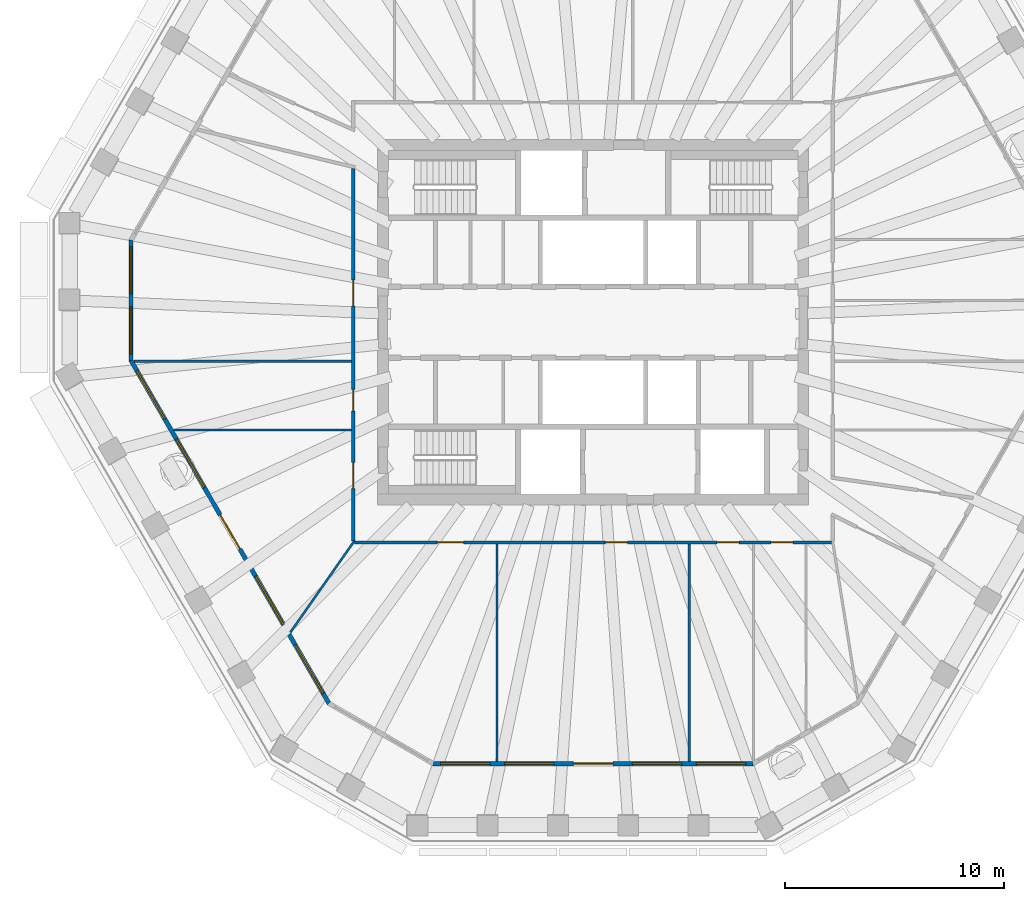
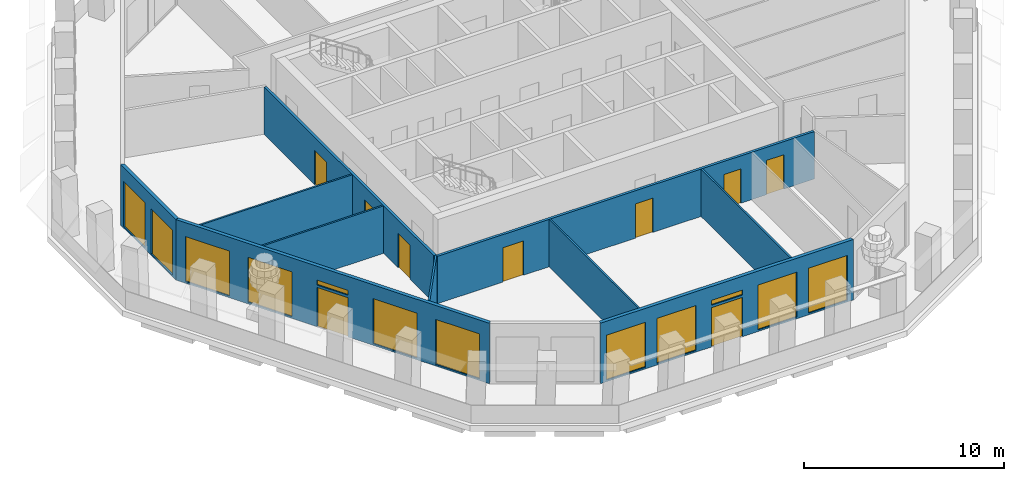
# One storey, part 3 of 11: 12 windows, 10 walls, 9 doors, 21 openings.
"""IFC4 building model written with IfcOpenShell, lengths in metres."""

from ifc_helpers import new_model, si_unit, direction, frame, frame_2d, origin, place, context, subcontext, project, spatial, polyline, rectangle, outline, extrude, material, layer, layer_set, type_object, element, fill, save


model = new_model("IFC4")

# Units and contexts
model_context = context("Model", 3, precision=1e-05, world=origin(), true_north=direction((0.0, 1.0)))
body_context = subcontext(model_context, "Body", "Model", "MODEL_VIEW")
ifc_project = project(units=[si_unit("LENGTHUNIT", "METRE"), si_unit("AREAUNIT", "SQUARE_METRE"), si_unit("VOLUMEUNIT", "CUBIC_METRE"), si_unit("PLANEANGLEUNIT", "RADIAN"), si_unit("MASSUNIT", "GRAM", prefix="KILO")], contexts=[model_context])

# Site, building, storey
site_placement = place(None, origin())
site = spatial("IfcSite", under=ifc_project, at=site_placement, CompositionType="ELEMENT")
building_placement = place(site_placement, origin())
building = spatial("IfcBuilding", under=site, at=building_placement, Name="Frailejon Research Tower", CompositionType="ELEMENT")
storey_placement = place(building_placement, frame((0.0, 0.0, 295.0)))
storey = spatial("IfcBuildingStorey", under=building, at=storey_placement, Name="L65", CompositionType="ELEMENT", Elevation=295.0)

# Wall, openings, doors
ifc_material_1 = material(Name="Gypsum board and masonry partition", Category="masonry")
ifc_layer_1 = layer(ifc_material_1, 0.14990234375)
ifc_layer_set_1 = layer_set([ifc_layer_1], Name="Corridor wall EI 60, gypsum on steel studs 150")
wall_type_1 = type_object("IfcWallType", Name="Corridor wall EI 60, gypsum on steel studs 150", PredefinedType="PARTITIONING", material=ifc_layer_set_1)
wall_1_placement = place(storey_placement, frame((-10.949951171875, -9.97509765625, 0.0), z_axis=(0.0, 0.0, 1.0), x_axis=(0.0, 1.0, 0.0)))
wall_1 = element("IfcWall", 1, at=wall_1_placement, inside=storey, type_object=wall_type_1, Name="T:IW:L65:004", PredefinedType="PARTITIONING", context=body_context, shape_type="SweptSolid", body=[
    extrude(rectangle(XDim=17.0, YDim=0.14990234375, at=frame_2d((8.5, 0.0))), origin(), (0.0, 0.0, 1.0), 2.89990234375),
])
opening_1_placement = place(wall_1_placement, frame((10.72021484375, 0.0, 0.0)))
opening_1 = element("IfcOpeningElement", 2, at=opening_1_placement, cuts=wall_1, Name="Opening D2253", PredefinedType="OPENING", context=body_context, shape_type="SweptSolid", body=[
    extrude(rectangle(XDim=1.199951171875, YDim=2.10009765625, at=frame_2d((0.60009765625, 1.050048828125))), frame((0.0, 0.0849609375, 0.0), z_axis=(0.0, -1.0, 0.0), x_axis=(1.0, 0.0, 0.0)), (0.0, 0.0, 1.0), 0.169921875),
])
opening_2_placement = place(wall_1_placement, frame((5.91552734375, 0.0, 0.0)))
opening_2 = element("IfcOpeningElement", 3, at=opening_2_placement, cuts=wall_1, Name="Opening D2254", PredefinedType="OPENING", context=body_context, shape_type="SweptSolid", body=[
    extrude(rectangle(XDim=1.0, YDim=2.10009765625, at=frame_2d((0.5, 1.050048828125))), frame((0.0, 0.0849609375, 0.0), z_axis=(0.0, -1.0, 0.0), x_axis=(1.0, 0.0, 0.0)), (0.0, 0.0, 1.0), 0.169921875),
])
opening_3_placement = place(wall_1_placement, frame((2.378662109375, 0.0, 0.0)))
opening_3 = element("IfcOpeningElement", 4, at=opening_3_placement, cuts=wall_1, Name="Opening D2255", PredefinedType="OPENING", context=body_context, shape_type="SweptSolid", body=[
    extrude(rectangle(XDim=1.199951171875, YDim=2.10009765625, at=frame_2d((0.60009765625, 1.050048828125))), frame((0.0, 0.0849609375, 0.0), z_axis=(0.0, -1.0, 0.0), x_axis=(1.0, 0.0, 0.0)), (0.0, 0.0, 1.0), 0.169921875),
])
ifc_material_2 = material(Name="Timber door leaf", Category="wood")
door_type_1 = type_object("IfcDoorType", Name="Door single leaf, timber, steel frame 1000", OperationType="NOTDEFINED", PredefinedType="DOOR", material=ifc_material_2)
door_1_placement = place(opening_2_placement, origin())
door_1 = element("IfcDoor", 5, at=door_1_placement, inside=storey, type_object=door_type_1, Name="D2254", OperationType="SINGLE_SWING_RIGHT", OverallHeight=2.10009765625, OverallWidth=1.0, PredefinedType="DOOR", context=body_context, shape_type="SweptSolid", body=[
    extrude(rectangle(XDim=1.0, YDim=2.10009765625, at=frame_2d((0.5, 1.050048828125))), frame((0.0, 0.02490234375, 0.0), z_axis=(0.0, -1.0, 0.0), x_axis=(1.0, 0.0, 0.0)), (0.0, 0.0, 1.0), 0.050048828125),
])
fill(opening_2, door_1)
ifc_material_3 = material(Name="Timber door leaf", Category="wood")
door_type_2 = type_object("IfcDoorType", Name="Door single leaf, timber, steel frame 1200", OperationType="NOTDEFINED", PredefinedType="DOOR", material=ifc_material_3)
door_2_placement = place(opening_1_placement, origin())
door_2 = element("IfcDoor", 6, at=door_2_placement, inside=storey, type_object=door_type_2, Name="D2253", OperationType="DOUBLE_DOOR_SINGLE_SWING", OverallHeight=2.10009765625, OverallWidth=1.199951171875, PredefinedType="DOOR", context=body_context, shape_type="SweptSolid", body=[
    extrude(rectangle(XDim=1.199951171875, YDim=2.10009765625, at=frame_2d((0.60009765625, 1.050048828125))), frame((0.0, 0.02490234375, 0.0), z_axis=(0.0, -1.0, 0.0), x_axis=(1.0, 0.0, 0.0)), (0.0, 0.0, 1.0), 0.050048828125),
])
fill(opening_1, door_2)
door_3_placement = place(opening_3_placement, origin())
door_3 = element("IfcDoor", 7, at=door_3_placement, inside=storey, type_object=door_type_2, Name="D2255", OperationType="DOUBLE_DOOR_SINGLE_SWING", OverallHeight=2.10009765625, OverallWidth=1.199951171875, PredefinedType="DOOR", context=body_context, shape_type="SweptSolid", body=[
    extrude(rectangle(XDim=1.199951171875, YDim=2.10009765625, at=frame_2d((0.60009765625, 1.050048828125))), frame((0.0, 0.02490234375, 0.0), z_axis=(0.0, -1.0, 0.0), x_axis=(1.0, 0.0, 0.0)), (0.0, 0.0, 1.0), 0.050048828125),
])
fill(opening_3, door_3)

wall_2_placement = place(storey_placement, frame((-10.89990234375, -10.050048828125, 0.0), z_axis=(0.0, 0.0, 1.0), x_axis=(1.0, 0.0, 0.0)))
wall_2 = element("IfcWall", 8, at=wall_2_placement, inside=storey, type_object=wall_type_1, Name="T:IW:L65:006", PredefinedType="PARTITIONING", context=body_context, shape_type="SweptSolid", body=[
    extrude(rectangle(XDim=21.7998046875, YDim=0.14990234375, at=frame_2d((10.89990234375, 0.0))), origin(), (0.0, 0.0, 1.0), 2.89990234375),
])
opening_4_placement = place(wall_2_placement, frame((3.791259765625, 0.0, 0.0)))
opening_4 = element("IfcOpeningElement", 9, at=opening_4_placement, cuts=wall_2, Name="Opening D2256", PredefinedType="OPENING", context=body_context, shape_type="SweptSolid", body=[
    extrude(rectangle(XDim=1.199951171875, YDim=2.10009765625, at=frame_2d((0.60009765625, 1.050048828125))), frame((0.0, 0.0849609375, 0.0), z_axis=(0.0, -1.0, 0.0), x_axis=(1.0, 0.0, 0.0)), (0.0, 0.0, 1.0), 0.169921875),
])
opening_5_placement = place(wall_2_placement, frame((11.46337890625, 0.0, 0.0)))
opening_5 = element("IfcOpeningElement", 10, at=opening_5_placement, cuts=wall_2, Name="Opening D2257", PredefinedType="OPENING", context=body_context, shape_type="SweptSolid", body=[
    extrude(rectangle(XDim=1.0, YDim=2.10009765625, at=frame_2d((0.5, 1.050048828125))), frame((0.0, 0.0849609375, 0.0), z_axis=(0.0, -1.0, 0.0), x_axis=(1.0, 0.0, 0.0)), (0.0, 0.0, 1.0), 0.169921875),
])
opening_6_placement = place(wall_2_placement, frame((16.5673828125, 0.0, 0.0)))
opening_6 = element("IfcOpeningElement", 11, at=opening_6_placement, cuts=wall_2, Name="Opening D2258", PredefinedType="OPENING", context=body_context, shape_type="SweptSolid", body=[
    extrude(rectangle(XDim=1.0, YDim=2.10009765625, at=frame_2d((0.5, 1.050048828125))), frame((0.0, 0.0849609375, 0.0), z_axis=(0.0, -1.0, 0.0), x_axis=(1.0, 0.0, 0.0)), (0.0, 0.0, 1.0), 0.169921875),
])
opening_7_placement = place(wall_2_placement, frame((19.0341796875, 0.0, 0.0)))
opening_7 = element("IfcOpeningElement", 12, at=opening_7_placement, cuts=wall_2, Name="Opening D2259", PredefinedType="OPENING", context=body_context, shape_type="SweptSolid", body=[
    extrude(rectangle(XDim=1.0, YDim=2.10009765625, at=frame_2d((0.5, 1.050048828125))), frame((0.0, 0.0849609375, 0.0), z_axis=(0.0, -1.0, 0.0), x_axis=(1.0, 0.0, 0.0)), (0.0, 0.0, 1.0), 0.169921875),
])
door_4_placement = place(opening_5_placement, origin())
door_4 = element("IfcDoor", 13, at=door_4_placement, inside=storey, type_object=door_type_1, Name="D2257", OperationType="SINGLE_SWING_LEFT", OverallHeight=2.10009765625, OverallWidth=1.0, PredefinedType="DOOR", context=body_context, shape_type="SweptSolid", body=[
    extrude(rectangle(XDim=1.0, YDim=2.10009765625, at=frame_2d((0.5, 1.050048828125))), frame((0.0, 0.02490234375, 0.0), z_axis=(0.0, -1.0, 0.0), x_axis=(1.0, 0.0, 0.0)), (0.0, 0.0, 1.0), 0.050048828125),
])
fill(opening_5, door_4)
door_5_placement = place(opening_6_placement, origin())
door_5 = element("IfcDoor", 14, at=door_5_placement, inside=storey, type_object=door_type_1, Name="D2258", OperationType="SINGLE_SWING_LEFT", OverallHeight=2.10009765625, OverallWidth=1.0, PredefinedType="DOOR", context=body_context, shape_type="SweptSolid", body=[
    extrude(rectangle(XDim=1.0, YDim=2.10009765625, at=frame_2d((0.5, 1.050048828125))), frame((0.0, 0.02490234375, 0.0), z_axis=(0.0, -1.0, 0.0), x_axis=(1.0, 0.0, 0.0)), (0.0, 0.0, 1.0), 0.050048828125),
])
fill(opening_6, door_5)
door_6_placement = place(opening_7_placement, origin())
door_6 = element("IfcDoor", 15, at=door_6_placement, inside=storey, type_object=door_type_1, Name="D2259", OperationType="SINGLE_SWING_RIGHT", OverallHeight=2.10009765625, OverallWidth=1.0, PredefinedType="DOOR", context=body_context, shape_type="SweptSolid", body=[
    extrude(rectangle(XDim=1.0, YDim=2.10009765625, at=frame_2d((0.5, 1.050048828125))), frame((0.0, 0.02490234375, 0.0), z_axis=(0.0, -1.0, 0.0), x_axis=(1.0, 0.0, 0.0)), (0.0, 0.0, 1.0), 0.050048828125),
])
fill(opening_7, door_6)
door_7_placement = place(opening_4_placement, origin())
door_7 = element("IfcDoor", 16, at=door_7_placement, inside=storey, type_object=door_type_2, Name="D2256", OperationType="DOUBLE_DOOR_SINGLE_SWING", OverallHeight=2.10009765625, OverallWidth=1.199951171875, PredefinedType="DOOR", context=body_context, shape_type="SweptSolid", body=[
    extrude(rectangle(XDim=1.199951171875, YDim=2.10009765625, at=frame_2d((0.60009765625, 1.050048828125))), frame((0.0, 0.02490234375, 0.0), z_axis=(0.0, -1.0, 0.0), x_axis=(1.0, 0.0, 0.0)), (0.0, 0.0, 1.0), 0.050048828125),
])
fill(opening_4, door_7)

# Walls
ifc_material_4 = material(Name="Gypsum board and masonry partition", Category="masonry")
ifc_layer_2 = layer(ifc_material_4, 0.10009765625)
ifc_layer_set_2 = layer_set([ifc_layer_2], Name="Partition, gypsum on steel studs 100")
wall_type_2 = type_object("IfcWallType", Name="Partition, gypsum on steel studs 100", PredefinedType="PARTITIONING", material=ifc_layer_set_2)
wall_3_placement = place(storey_placement, frame((-20.973388671875, -1.77294921875, 0.0), z_axis=(0.0, 0.0, 1.0), x_axis=(1.0, 0.0, 0.0)))
element("IfcWall", 17, at=wall_3_placement, inside=storey, type_object=wall_type_2, Name="T:IW:L65:019", PredefinedType="PARTITIONING", context=body_context, shape_type="SweptSolid", body=[
    extrude(rectangle(XDim=9.948486328125, YDim=0.10009765625, at=frame_2d((4.97412109375, 0.0))), origin(), (0.0, 0.0, 1.0), 2.89990234375),
])
wall_4_placement = place(storey_placement, frame((-19.16015625, -4.913818359375, 0.0), z_axis=(0.0, 0.0, 1.0), x_axis=(1.0, 0.0, 0.0)))
element("IfcWall", 18, at=wall_4_placement, inside=storey, type_object=wall_type_2, Name="T:IW:L65:021", PredefinedType="PARTITIONING", context=body_context, shape_type="SweptSolid", body=[
    extrude(rectangle(XDim=8.13525390625, YDim=0.10009765625, at=frame_2d((4.067626953125, 0.0))), origin(), (0.0, 0.0, 1.0), 2.89990234375),
])
wall_5_placement = place(storey_placement, frame((-13.824462890625, -14.155517578125, 0.0), z_axis=(0.0, 0.0, 1.0), x_axis=(0.573539649112, 0.81917780176, 0.0)))
element("IfcWall", 19, at=wall_5_placement, inside=storey, type_object=wall_type_2, Name="T:IW:L65:023", PredefinedType="PARTITIONING", context=body_context, shape_type="SweptSolid", body=[
    extrude(rectangle(XDim=5.0869140625, YDim=0.10009765625, at=frame_2d((2.54345703125, 0.0))), origin(), (0.0, 0.0, 1.0), 2.89990234375),
])
for number, where, z_axis, x_axis, name in (
    (20, (-4.39501953125, -20.0556640625, 0.0), (0.0, 0.0, 1.0), (0.0, 1.0, 0.0), "T:IW:L65:024"),
    (21, (4.39501953125, -20.0556640625, 0.0), (0.0, 0.0, 1.0), (0.0, 1.0, 0.0), "T:IW:L65:025"),
):
    element("IfcWall", number, at=place(storey_placement, frame(where, z_axis=z_axis, x_axis=x_axis)), inside=storey, type_object=wall_type_2, Name=name, PredefinedType="PARTITIONING", context=body_context, shape_type="SweptSolid", body=[
        extrude(rectangle(XDim=9.9306640625, YDim=0.10009765625, at=frame_2d((4.96533203125, 0.0))), origin(), (0.0, 0.0, 1.0), 2.89990234375),
    ])

# Wall, openings, windows
ifc_material_5 = material(Name="Concrete C40/50 precast window wall panel", Category="concrete")
ifc_layer_3 = layer(ifc_material_5, 0.199951171875)
ifc_layer_set_3 = layer_set([ifc_layer_3], Name="Window wall 200")
wall_type_3 = type_object("IfcWallType", Name="Window wall 200", PredefinedType="SOLIDWALL", material=ifc_layer_set_3)
wall_6_placement = place(storey_placement, frame((-21.1044921875, 3.75732421875, 0.0), z_axis=(0.0, 0.0, 1.0), x_axis=(0.0, -1.0, 0.0)))
wall_6 = element("IfcWall", 22, at=wall_6_placement, inside=storey, type_object=wall_type_3, Name="Exterior wall L65", PredefinedType="SOLIDWALL", context=body_context, shape_type="SweptSolid", body=[
    extrude(outline(polyline([(-0.02685546875, -0.10009765625), (1.08447265625, -0.10009765625), (2.196044921875, -0.10009765625), (3.307373046875, -0.10009765625), (4.4189453125, -0.10009765625), (5.5302734375, -0.10009765625), (5.4765625, 0.10009765625), (4.38671875, 0.10009765625), (3.296630859375, 0.10009765625), (2.206787109375, 0.10009765625), (1.11669921875, 0.10009765625), (0.02685546875, 0.10009765625), (-0.02685546875, -0.10009765625)])), origin(), (0.0, 0.0, 1.0), 3.699951171875),
])
opening_8_placement = place(wall_6_placement, frame((0.30078125, 0.0, 0.10009765625)))
opening_8 = element("IfcOpeningElement", 23, at=opening_8_placement, cuts=wall_6, Name="Opening W22", PredefinedType="OPENING", context=body_context, shape_type="SweptSolid", body=[
    extrude(rectangle(XDim=2.14990234375, YDim=2.75, at=frame_2d((1.074951171875, 1.375))), frame((0.0, 0.10986328125, 0.0), z_axis=(0.0, -1.0, 0.0), x_axis=(1.0, 0.0, 0.0)), (0.0, 0.0, 1.0), 0.219970703125),
])
opening_9_placement = place(wall_6_placement, frame((3.052490234375, 0.0, 0.10009765625)))
opening_9 = element("IfcOpeningElement", 24, at=opening_9_placement, cuts=wall_6, Name="Opening W22", PredefinedType="OPENING", context=body_context, shape_type="SweptSolid", body=[
    extrude(rectangle(XDim=2.14990234375, YDim=2.75, at=frame_2d((1.074951171875, 1.375))), frame((0.0, 0.10986328125, 0.0), z_axis=(0.0, -1.0, 0.0), x_axis=(1.0, 0.0, 0.0)), (0.0, 0.0, 1.0), 0.219970703125),
])
ifc_material_6 = material(Name="Aluminium framed double glazing", Category="aluminium")
window_type_1 = type_object("IfcWindowType", Name="Window 2150x2750", PartitioningType="SINGLE_PANEL", PredefinedType="WINDOW", material=ifc_material_6)
window_1_placement = place(opening_8_placement, origin())
window_1 = element("IfcWindow", 25, at=window_1_placement, inside=storey, type_object=window_type_1, Name="Window L65", OverallHeight=2.75, OverallWidth=2.14990234375, PartitioningType="SINGLE_PANEL", PredefinedType="WINDOW", context=body_context, shape_type="SweptSolid", body=[
    extrude(rectangle(XDim=2.14990234375, YDim=2.75, at=frame_2d((1.074951171875, 1.375))), frame((0.0, 0.030029296875, 0.0), z_axis=(0.0, -1.0, 0.0), x_axis=(1.0, 0.0, 0.0)), (0.0, 0.0, 1.0), 0.06005859375),
])
fill(opening_8, window_1)
window_2_placement = place(opening_9_placement, origin())
window_2 = element("IfcWindow", 26, at=window_2_placement, inside=storey, type_object=window_type_1, Name="Window L65", OverallHeight=2.75, OverallWidth=2.14990234375, PartitioningType="SINGLE_PANEL", PredefinedType="WINDOW", context=body_context, shape_type="SweptSolid", body=[
    extrude(rectangle(XDim=2.14990234375, YDim=2.75, at=frame_2d((1.074951171875, 1.375))), frame((0.0, 0.030029296875, 0.0), z_axis=(0.0, -1.0, 0.0), x_axis=(1.0, 0.0, 0.0)), (0.0, 0.0, 1.0), 0.06005859375),
])
fill(opening_9, window_2)

# Wall, openings, door, windows
wall_7_placement = place(storey_placement, frame((-21.1044921875, -1.74609375, 0.0), z_axis=(0.0, 0.0, 1.0), x_axis=(0.500012333517, -0.866018282908, 0.0)))
wall_7 = element("IfcWall", 27, at=wall_7_placement, inside=storey, type_object=wall_type_3, Name="Exterior wall L65", PredefinedType="SOLIDWALL", context=body_context, shape_type="SweptSolid", body=[
    extrude(outline(polyline([(-0.02685546875, -0.10009765625), (0.98046875, -0.10009765625), (1.988037109375, -0.10009765625), (2.995361328125, -0.10009765625), (4.0029296875, -0.10009765625), (5.01025390625, -0.10009765625), (6.017822265625, -0.10009765625), (7.025146484375, -0.10009765625), (8.03271484375, -0.10009765625), (9.0400390625, -0.10009765625), (10.04736328125, -0.10009765625), (11.054931640625, -0.10009765625), (12.062255859375, -0.10009765625), (13.06982421875, -0.10009765625), (14.0771484375, -0.10009765625), (15.084716796875, -0.10009765625), (16.092041015625, -0.10009765625), (17.099609375, -0.10009765625), (18.10693359375, -0.10009765625), (18.05322265625, 0.10009765625), (17.0517578125, 0.10009765625), (16.05029296875, 0.10009765625), (15.048828125, 0.10009765625), (14.04736328125, 0.10009765625), (13.0458984375, 0.10009765625), (12.04443359375, 0.10009765625), (11.04296875, 0.10009765625), (10.04150390625, 0.10009765625), (9.0400390625, 0.10009765625), (8.03857421875, 0.10009765625), (7.037109375, 0.10009765625), (6.03564453125, 0.10009765625), (5.0341796875, 0.10009765625), (4.03271484375, 0.10009765625), (3.03125, 0.10009765625), (2.02978515625, 0.10009765625), (1.0283203125, 0.10009765625), (0.02685546875, 0.10009765625), (-0.02685546875, -0.10009765625)])), origin(), (0.0, 0.0, 1.0), 3.699951171875),
])
opening_10_placement = place(wall_7_placement, frame((0.532958984375, 0.0, 0.10009765625)))
opening_10 = element("IfcOpeningElement", 28, at=opening_10_placement, cuts=wall_7, Name="Opening W25", PredefinedType="OPENING", context=body_context, shape_type="SweptSolid", body=[
    extrude(rectangle(XDim=2.550048828125, YDim=2.75, at=frame_2d((1.27490234375, 1.375))), frame((0.0, 0.10986328125, 0.0), z_axis=(0.0, -1.0, 0.0), x_axis=(1.0, 0.0, 0.0)), (0.0, 0.0, 1.0), 0.219970703125),
])
opening_11_placement = place(wall_7_placement, frame((4.14892578125, 0.0, 0.10009765625)))
opening_11 = element("IfcOpeningElement", 29, at=opening_11_placement, cuts=wall_7, Name="Opening W25", PredefinedType="OPENING", context=body_context, shape_type="SweptSolid", body=[
    extrude(rectangle(XDim=2.550048828125, YDim=2.75, at=frame_2d((1.27490234375, 1.375))), frame((0.0, 0.10986328125, 0.0), z_axis=(0.0, -1.0, 0.0), x_axis=(1.0, 0.0, 0.0)), (0.0, 0.0, 1.0), 0.219970703125),
])
opening_12_placement = place(wall_7_placement, frame((8.14013671875, 0.0, 0.0)))
opening_12 = element("IfcOpeningElement", 30, at=opening_12_placement, cuts=wall_7, Name="Opening LG65-4", PredefinedType="OPENING", context=body_context, shape_type="SweptSolid", body=[
    extrude(rectangle(XDim=1.800048828125, YDim=2.39990234375, at=frame_2d((0.89990234375, 1.199951171875))), frame((0.0, 0.10986328125, 0.0), z_axis=(0.0, -1.0, 0.0), x_axis=(1.0, 0.0, 0.0)), (0.0, 0.0, 1.0), 0.219970703125),
])
opening_13_placement = place(wall_7_placement, frame((8.14013671875, 0.0, 2.550048828125)))
opening_13 = element("IfcOpeningElement", 31, at=opening_13_placement, cuts=wall_7, Name="Opening W24", PredefinedType="OPENING", context=body_context, shape_type="SweptSolid", body=[
    extrude(rectangle(XDim=1.800048828125, YDim=0.300048828125, at=frame_2d((0.89990234375, 0.14990234375))), frame((0.0, 0.10986328125, 0.0), z_axis=(0.0, -1.0, 0.0), x_axis=(1.0, 0.0, 0.0)), (0.0, 0.0, 1.0), 0.219970703125),
])
opening_14_placement = place(wall_7_placement, frame((11.381103515625, 0.0, 0.10009765625)))
opening_14 = element("IfcOpeningElement", 32, at=opening_14_placement, cuts=wall_7, Name="Opening W25", PredefinedType="OPENING", context=body_context, shape_type="SweptSolid", body=[
    extrude(rectangle(XDim=2.550048828125, YDim=2.75, at=frame_2d((1.27490234375, 1.375))), frame((0.0, 0.10986328125, 0.0), z_axis=(0.0, -1.0, 0.0), x_axis=(1.0, 0.0, 0.0)), (0.0, 0.0, 1.0), 0.219970703125),
])
opening_15_placement = place(wall_7_placement, frame((14.9970703125, 0.0, 0.10009765625)))
opening_15 = element("IfcOpeningElement", 33, at=opening_15_placement, cuts=wall_7, Name="Opening W25", PredefinedType="OPENING", context=body_context, shape_type="SweptSolid", body=[
    extrude(rectangle(XDim=2.550048828125, YDim=2.75, at=frame_2d((1.27490234375, 1.375))), frame((0.0, 0.10986328125, 0.0), z_axis=(0.0, -1.0, 0.0), x_axis=(1.0, 0.0, 0.0)), (0.0, 0.0, 1.0), 0.219970703125),
])
ifc_material_7 = material(Name="Aluminium framed glazed door leaf", Category="aluminium")
door_type_3 = type_object("IfcDoorType", Name="Loggia door 1800x2400", OperationType="DOUBLE_DOOR_SINGLE_SWING", PredefinedType="DOOR", material=ifc_material_7)
door_8_placement = place(opening_12_placement, origin())
door_8 = element("IfcDoor", 34, at=door_8_placement, inside=storey, type_object=door_type_3, Name="Door LG65-4", OperationType="DOUBLE_DOOR_SINGLE_SWING", OverallHeight=2.39990234375, OverallWidth=1.800048828125, PredefinedType="DOOR", context=body_context, shape_type="SweptSolid", body=[
    extrude(rectangle(XDim=1.800048828125, YDim=2.39990234375, at=frame_2d((0.89990234375, 1.199951171875))), frame((0.0, 0.02490234375, 0.0), z_axis=(0.0, -1.0, 0.0), x_axis=(1.0, 0.0, 0.0)), (0.0, 0.0, 1.0), 0.050048828125),
])
fill(opening_12, door_8)
ifc_material_8 = material(Name="Aluminium framed double glazing", Category="aluminium")
window_type_2 = type_object("IfcWindowType", Name="Window 1800x300", PartitioningType="SINGLE_PANEL", PredefinedType="WINDOW", material=ifc_material_8)
window_3_placement = place(opening_13_placement, origin())
window_3 = element("IfcWindow", 35, at=window_3_placement, inside=storey, type_object=window_type_2, Name="Window L65", OverallHeight=0.300048828125, OverallWidth=1.800048828125, PartitioningType="SINGLE_PANEL", PredefinedType="WINDOW", context=body_context, shape_type="SweptSolid", body=[
    extrude(rectangle(XDim=1.800048828125, YDim=0.300048828125, at=frame_2d((0.89990234375, 0.14990234375))), frame((0.0, 0.030029296875, 0.0), z_axis=(0.0, -1.0, 0.0), x_axis=(1.0, 0.0, 0.0)), (0.0, 0.0, 1.0), 0.06005859375),
])
fill(opening_13, window_3)
ifc_material_9 = material(Name="Aluminium framed double glazing", Category="aluminium")
window_type_3 = type_object("IfcWindowType", Name="Window 2550x2750", PartitioningType="SINGLE_PANEL", PredefinedType="WINDOW", material=ifc_material_9)
window_4_placement = place(opening_10_placement, origin())
window_4 = element("IfcWindow", 36, at=window_4_placement, inside=storey, type_object=window_type_3, Name="Window L65", OverallHeight=2.75, OverallWidth=2.550048828125, PartitioningType="SINGLE_PANEL", PredefinedType="WINDOW", context=body_context, shape_type="SweptSolid", body=[
    extrude(rectangle(XDim=2.550048828125, YDim=2.75, at=frame_2d((1.27490234375, 1.375))), frame((0.0, 0.030029296875, 0.0), z_axis=(0.0, -1.0, 0.0), x_axis=(1.0, 0.0, 0.0)), (0.0, 0.0, 1.0), 0.06005859375),
])
fill(opening_10, window_4)
window_5_placement = place(opening_11_placement, origin())
window_5 = element("IfcWindow", 37, at=window_5_placement, inside=storey, type_object=window_type_3, Name="Window L65", OverallHeight=2.75, OverallWidth=2.550048828125, PartitioningType="SINGLE_PANEL", PredefinedType="WINDOW", context=body_context, shape_type="SweptSolid", body=[
    extrude(rectangle(XDim=2.550048828125, YDim=2.75, at=frame_2d((1.27490234375, 1.375))), frame((0.0, 0.030029296875, 0.0), z_axis=(0.0, -1.0, 0.0), x_axis=(1.0, 0.0, 0.0)), (0.0, 0.0, 1.0), 0.06005859375),
])
fill(opening_11, window_5)
window_6_placement = place(opening_14_placement, origin())
window_6 = element("IfcWindow", 38, at=window_6_placement, inside=storey, type_object=window_type_3, Name="Window L65", OverallHeight=2.75, OverallWidth=2.550048828125, PartitioningType="SINGLE_PANEL", PredefinedType="WINDOW", context=body_context, shape_type="SweptSolid", body=[
    extrude(rectangle(XDim=2.550048828125, YDim=2.75, at=frame_2d((1.27490234375, 1.375))), frame((0.0, 0.030029296875, 0.0), z_axis=(0.0, -1.0, 0.0), x_axis=(1.0, 0.0, 0.0)), (0.0, 0.0, 1.0), 0.06005859375),
])
fill(opening_14, window_6)
window_7_placement = place(opening_15_placement, origin())
window_7 = element("IfcWindow", 39, at=window_7_placement, inside=storey, type_object=window_type_3, Name="Window L65", OverallHeight=2.75, OverallWidth=2.550048828125, PartitioningType="SINGLE_PANEL", PredefinedType="WINDOW", context=body_context, shape_type="SweptSolid", body=[
    extrude(rectangle(XDim=2.550048828125, YDim=2.75, at=frame_2d((1.27490234375, 1.375))), frame((0.0, 0.030029296875, 0.0), z_axis=(0.0, -1.0, 0.0), x_axis=(1.0, 0.0, 0.0)), (0.0, 0.0, 1.0), 0.06005859375),
])
fill(opening_15, window_7)

wall_8_placement = place(storey_placement, frame((-7.29833984375, -20.155517578125, 0.0), z_axis=(0.0, 0.0, 1.0), x_axis=(1.0, 0.0, 0.0)))
wall_8 = element("IfcWall", 40, at=wall_8_placement, inside=storey, type_object=wall_type_3, Name="Exterior wall L65", PredefinedType="SOLIDWALL", context=body_context, shape_type="SweptSolid", body=[
    extrude(outline(polyline([(-0.02685546875, -0.10009765625), (1.01953125, -0.10009765625), (2.066162109375, -0.10009765625), (3.112548828125, -0.10009765625), (4.158935546875, -0.10009765625), (5.205322265625, -0.10009765625), (6.251953125, -0.10009765625), (7.29833984375, -0.10009765625), (8.3447265625, -0.10009765625), (9.391357421875, -0.10009765625), (10.437744140625, -0.10009765625), (11.484130859375, -0.10009765625), (12.530517578125, -0.10009765625), (13.5771484375, -0.10009765625), (14.62353515625, -0.10009765625), (14.56982421875, 0.10009765625), (13.531005859375, 0.10009765625), (12.4921875, 0.10009765625), (11.453369140625, 0.10009765625), (10.414794921875, 0.10009765625), (9.3759765625, 0.10009765625), (8.337158203125, 0.10009765625), (7.29833984375, 0.10009765625), (6.259521484375, 0.10009765625), (5.220703125, 0.10009765625), (4.181884765625, 0.10009765625), (3.143310546875, 0.10009765625), (2.1044921875, 0.10009765625), (1.065673828125, 0.10009765625), (0.02685546875, 0.10009765625), (-0.02685546875, -0.10009765625)])), origin(), (0.0, 0.0, 1.0), 3.699951171875),
])
opening_16_placement = place(wall_8_placement, frame((0.334716796875, 0.0, 0.10009765625)))
opening_16 = element("IfcOpeningElement", 41, at=opening_16_placement, cuts=wall_8, Name="Opening W23", PredefinedType="OPENING", context=body_context, shape_type="SweptSolid", body=[
    extrude(rectangle(XDim=2.25, YDim=2.75, at=frame_2d((1.125, 1.375))), frame((0.0, 0.10986328125, 0.0), z_axis=(0.0, -1.0, 0.0), x_axis=(1.0, 0.0, 0.0)), (0.0, 0.0, 1.0), 0.219970703125),
])
opening_17_placement = place(wall_8_placement, frame((3.25390625, 0.0, 0.10009765625)))
opening_17 = element("IfcOpeningElement", 42, at=opening_17_placement, cuts=wall_8, Name="Opening W23", PredefinedType="OPENING", context=body_context, shape_type="SweptSolid", body=[
    extrude(rectangle(XDim=2.25, YDim=2.75, at=frame_2d((1.125, 1.375))), frame((0.0, 0.10986328125, 0.0), z_axis=(0.0, -1.0, 0.0), x_axis=(1.0, 0.0, 0.0)), (0.0, 0.0, 1.0), 0.219970703125),
])
opening_18_placement = place(wall_8_placement, frame((6.398193359375, 0.0, 0.0)))
opening_18 = element("IfcOpeningElement", 43, at=opening_18_placement, cuts=wall_8, Name="Opening LG65-5", PredefinedType="OPENING", context=body_context, shape_type="SweptSolid", body=[
    extrude(rectangle(XDim=1.800048828125, YDim=2.39990234375, at=frame_2d((0.89990234375, 1.199951171875))), frame((0.0, 0.10986328125, 0.0), z_axis=(0.0, -1.0, 0.0), x_axis=(1.0, 0.0, 0.0)), (0.0, 0.0, 1.0), 0.219970703125),
])
opening_19_placement = place(wall_8_placement, frame((6.398193359375, 0.0, 2.550048828125)))
opening_19 = element("IfcOpeningElement", 44, at=opening_19_placement, cuts=wall_8, Name="Opening W24", PredefinedType="OPENING", context=body_context, shape_type="SweptSolid", body=[
    extrude(rectangle(XDim=1.800048828125, YDim=0.300048828125, at=frame_2d((0.89990234375, 0.14990234375))), frame((0.0, 0.10986328125, 0.0), z_axis=(0.0, -1.0, 0.0), x_axis=(1.0, 0.0, 0.0)), (0.0, 0.0, 1.0), 0.219970703125),
])
opening_20_placement = place(wall_8_placement, frame((9.092529296875, 0.0, 0.10009765625)))
opening_20 = element("IfcOpeningElement", 45, at=opening_20_placement, cuts=wall_8, Name="Opening W23", PredefinedType="OPENING", context=body_context, shape_type="SweptSolid", body=[
    extrude(rectangle(XDim=2.25, YDim=2.75, at=frame_2d((1.125, 1.375))), frame((0.0, 0.10986328125, 0.0), z_axis=(0.0, -1.0, 0.0), x_axis=(1.0, 0.0, 0.0)), (0.0, 0.0, 1.0), 0.219970703125),
])
opening_21_placement = place(wall_8_placement, frame((12.011962890625, 0.0, 0.10009765625)))
opening_21 = element("IfcOpeningElement", 46, at=opening_21_placement, cuts=wall_8, Name="Opening W23", PredefinedType="OPENING", context=body_context, shape_type="SweptSolid", body=[
    extrude(rectangle(XDim=2.25, YDim=2.75, at=frame_2d((1.125, 1.375))), frame((0.0, 0.10986328125, 0.0), z_axis=(0.0, -1.0, 0.0), x_axis=(1.0, 0.0, 0.0)), (0.0, 0.0, 1.0), 0.219970703125),
])
door_9_placement = place(opening_18_placement, origin())
door_9 = element("IfcDoor", 47, at=door_9_placement, inside=storey, type_object=door_type_3, Name="Door LG65-5", OperationType="DOUBLE_DOOR_SINGLE_SWING", OverallHeight=2.39990234375, OverallWidth=1.800048828125, PredefinedType="DOOR", context=body_context, shape_type="SweptSolid", body=[
    extrude(rectangle(XDim=1.800048828125, YDim=2.39990234375, at=frame_2d((0.89990234375, 1.199951171875))), frame((0.0, 0.02490234375, 0.0), z_axis=(0.0, -1.0, 0.0), x_axis=(1.0, 0.0, 0.0)), (0.0, 0.0, 1.0), 0.050048828125),
])
fill(opening_18, door_9)
window_8_placement = place(opening_19_placement, origin())
window_8 = element("IfcWindow", 48, at=window_8_placement, inside=storey, type_object=window_type_2, Name="Window L65", OverallHeight=0.300048828125, OverallWidth=1.800048828125, PartitioningType="SINGLE_PANEL", PredefinedType="WINDOW", context=body_context, shape_type="SweptSolid", body=[
    extrude(rectangle(XDim=1.800048828125, YDim=0.300048828125, at=frame_2d((0.89990234375, 0.14990234375))), frame((0.0, 0.030029296875, 0.0), z_axis=(0.0, -1.0, 0.0), x_axis=(1.0, 0.0, 0.0)), (0.0, 0.0, 1.0), 0.06005859375),
])
fill(opening_19, window_8)
ifc_material_10 = material(Name="Aluminium framed double glazing", Category="aluminium")
window_type_4 = type_object("IfcWindowType", Name="Window 2250x2750", PartitioningType="SINGLE_PANEL", PredefinedType="WINDOW", material=ifc_material_10)
window_9_placement = place(opening_16_placement, origin())
window_9 = element("IfcWindow", 49, at=window_9_placement, inside=storey, type_object=window_type_4, Name="Window L65", OverallHeight=2.75, OverallWidth=2.25, PartitioningType="SINGLE_PANEL", PredefinedType="WINDOW", context=body_context, shape_type="SweptSolid", body=[
    extrude(rectangle(XDim=2.25, YDim=2.75, at=frame_2d((1.125, 1.375))), frame((0.0, 0.030029296875, 0.0), z_axis=(0.0, -1.0, 0.0), x_axis=(1.0, 0.0, 0.0)), (0.0, 0.0, 1.0), 0.06005859375),
])
fill(opening_16, window_9)
window_10_placement = place(opening_17_placement, origin())
window_10 = element("IfcWindow", 50, at=window_10_placement, inside=storey, type_object=window_type_4, Name="Window L65", OverallHeight=2.75, OverallWidth=2.25, PartitioningType="SINGLE_PANEL", PredefinedType="WINDOW", context=body_context, shape_type="SweptSolid", body=[
    extrude(rectangle(XDim=2.25, YDim=2.75, at=frame_2d((1.125, 1.375))), frame((0.0, 0.030029296875, 0.0), z_axis=(0.0, -1.0, 0.0), x_axis=(1.0, 0.0, 0.0)), (0.0, 0.0, 1.0), 0.06005859375),
])
fill(opening_17, window_10)
window_11_placement = place(opening_20_placement, origin())
window_11 = element("IfcWindow", 51, at=window_11_placement, inside=storey, type_object=window_type_4, Name="Window L65", OverallHeight=2.75, OverallWidth=2.25, PartitioningType="SINGLE_PANEL", PredefinedType="WINDOW", context=body_context, shape_type="SweptSolid", body=[
    extrude(rectangle(XDim=2.25, YDim=2.75, at=frame_2d((1.125, 1.375))), frame((0.0, 0.030029296875, 0.0), z_axis=(0.0, -1.0, 0.0), x_axis=(1.0, 0.0, 0.0)), (0.0, 0.0, 1.0), 0.06005859375),
])
fill(opening_20, window_11)
window_12_placement = place(opening_21_placement, origin())
window_12 = element("IfcWindow", 52, at=window_12_placement, inside=storey, type_object=window_type_4, Name="Window L65", OverallHeight=2.75, OverallWidth=2.25, PartitioningType="SINGLE_PANEL", PredefinedType="WINDOW", context=body_context, shape_type="SweptSolid", body=[
    extrude(rectangle(XDim=2.25, YDim=2.75, at=frame_2d((1.125, 1.375))), frame((0.0, 0.030029296875, 0.0), z_axis=(0.0, -1.0, 0.0), x_axis=(1.0, 0.0, 0.0)), (0.0, 0.0, 1.0), 0.06005859375),
])
fill(opening_21, window_12)

save(model, "model.ifc")
